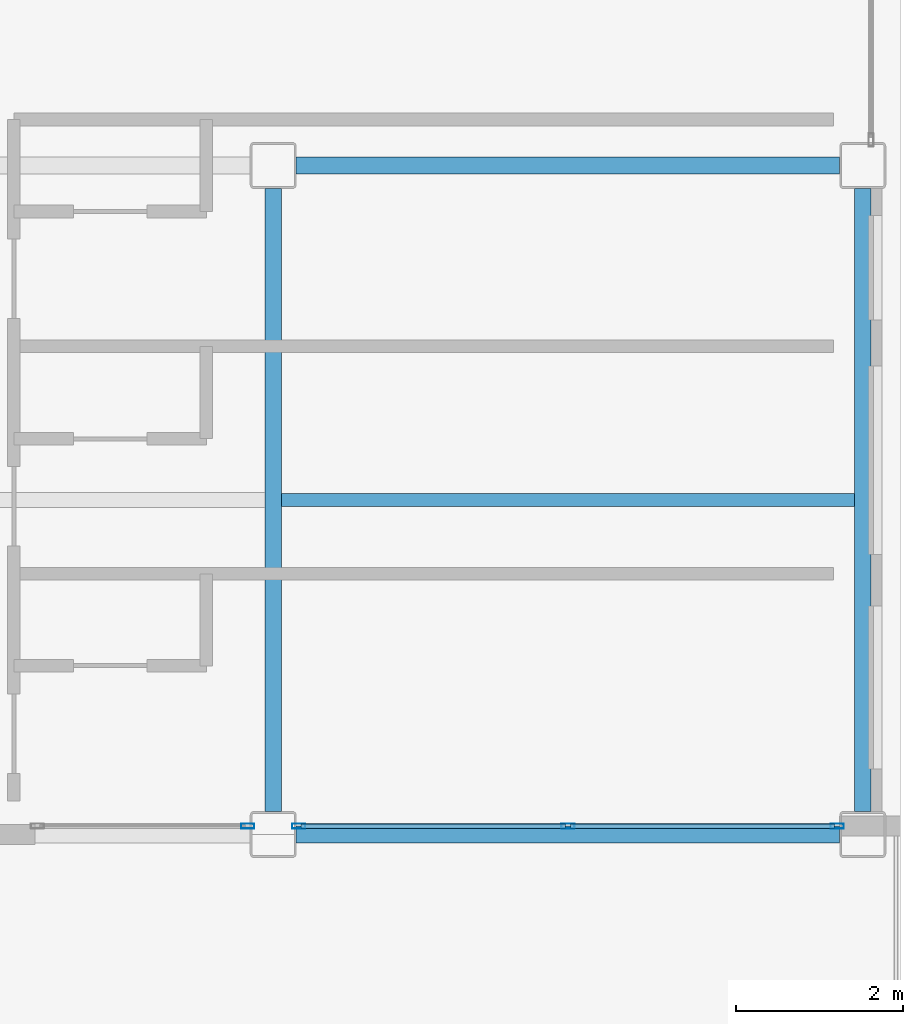
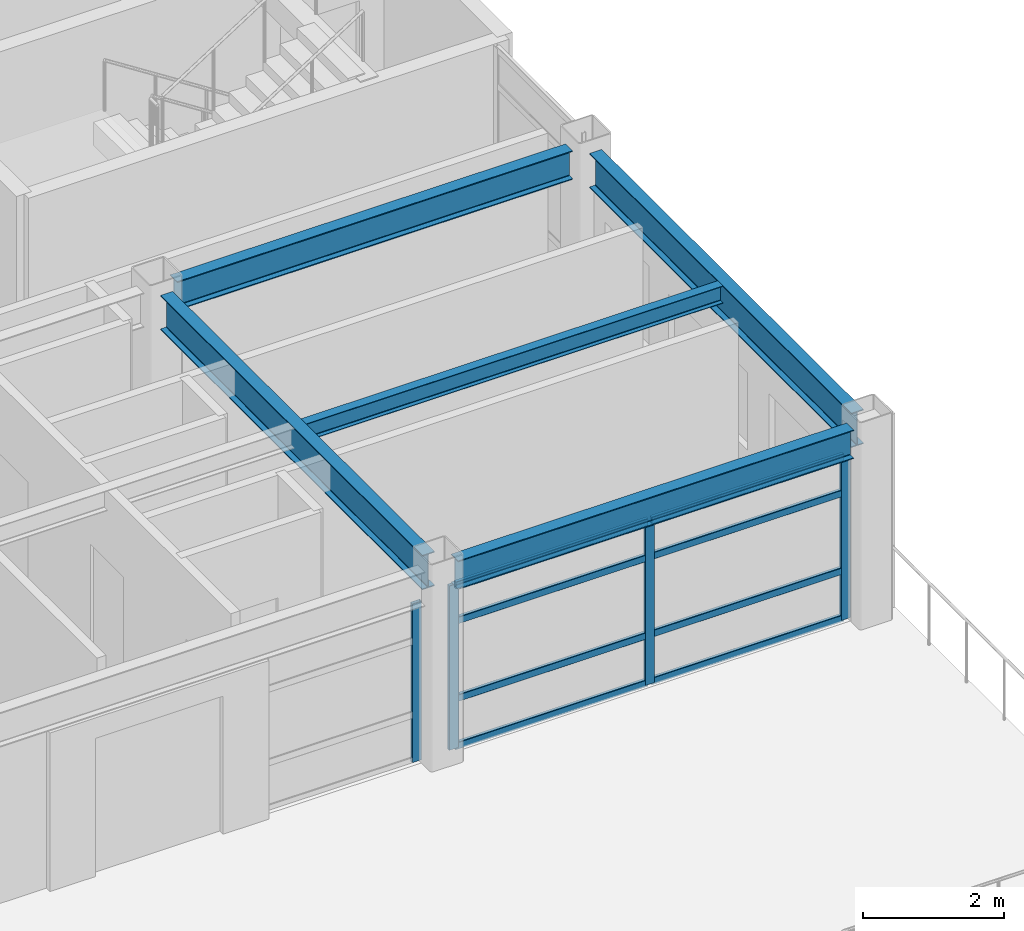
# One storey, part 6 of 36: 12 members, 5 beams, 2 elements without a shape of their own.
"""IFC4 building model written with IfcOpenShell, lengths in metres."""

import ifcopenshell
import ifcopenshell.guid

model = None  # the IFC model being written
_history = None  # IfcOwnerHistory: only IFC2X3 demands one
_inside = {}  # id of a spatial element -> (the spatial element, [elements in it])
_under = {}  # id of a project, library or spatial element -> (it, [spatial elements below it])
_declared = {}  # id of a project -> (the project, [libraries it declares])
_typed = {}  # id of a type object -> (the type object, [elements of that type])
_made_of = {}  # id of a material, layer set ... -> (it, [elements and type objects made of it])


def new_model(schema):
    """Start an empty IFC model of exactly this schema.

    Asked for "IFC4X3", IfcOpenShell would pick the latest addendum, in which some entities
    have other attributes; the version numbers below select the first issue.
    IFC2X3 requires an IfcOwnerHistory on every rooted entity: one is made here for all.
    """
    global model, _history
    if schema == "IFC4X3":
        model = ifcopenshell.file(schema_version=(4, 3, 0, 0))
    else:
        model = ifcopenshell.file(schema=schema)
    _inside.clear()
    _under.clear()
    _declared.clear()
    _typed.clear()
    _made_of.clear()
    _history = None
    if model.schema == "IFC2X3":
        org = make("IfcOrganization", Name="unknown")
        user = make(
            "IfcPersonAndOrganization",
            ThePerson=make("IfcPerson", FamilyName="unknown"),
            TheOrganization=org,
        )
        app = make(
            "IfcApplication",
            ApplicationDeveloper=org,
            Version="unknown",
            ApplicationFullName="unknown",
            ApplicationIdentifier="unknown",
        )
        _history = make(
            "IfcOwnerHistory",
            OwningUser=user,
            OwningApplication=app,
            ChangeAction="ADDED",
            CreationDate=0,
        )
    return model


def make(cls, **values):
    """One entity of the class cls with the attributes given. An attribute that is None is left unset."""
    return model.create_entity(
        cls, **{name: value for name, value in values.items() if value is not None}
    )


def rooted(cls, **values):
    """An entity with a GlobalId (a new one), such as an element, a storey or a relation."""
    return make(cls, GlobalId=ifcopenshell.guid.new(), OwnerHistory=_history, **values)


def si_unit(unit_type, name, prefix=None):
    """IfcSIUnit, for example si_unit("LENGTHUNIT", "METRE", prefix="MILLI")."""
    return make("IfcSIUnit", UnitType=unit_type, Prefix=prefix, Name=name)


def assignment(units):
    """IfcUnitAssignment: the units of a project."""
    return None if units is None else make("IfcUnitAssignment", Units=units)


def point(xyz):
    """IfcCartesianPoint."""
    return None if xyz is None else make("IfcCartesianPoint", Coordinates=xyz)


def direction(xyz):
    """IfcDirection."""
    return None if xyz is None else make("IfcDirection", DirectionRatios=xyz)


def frame(location, z_axis=None, x_axis=None):
    """IfcAxis2Placement3D, a coordinate frame: its origin and axes. An axis left out is left unset."""
    return make(
        "IfcAxis2Placement3D",
        Location=point(location),
        Axis=direction(z_axis),
        RefDirection=direction(x_axis),
    )


def frame_2d(location, x_axis=None):
    """IfcAxis2Placement2D, a coordinate frame in the plane: its origin and x axis."""
    return make(
        "IfcAxis2Placement2D", Location=point(location), RefDirection=direction(x_axis)
    )


def origin():
    """The frame at (0, 0, 0) with its axes left unset."""
    return frame((0.0, 0.0, 0.0))


def origin_2d():
    """The frame at (0, 0) in the plane with its x axis left unset."""
    return frame_2d((0.0, 0.0))


def place(relative_to, where):
    """IfcLocalPlacement: puts the frame where relative to a parent placement (None: the world)."""
    return make(
        "IfcLocalPlacement", PlacementRelTo=relative_to, RelativePlacement=where
    )


def context(
    kind, dimensions, precision=None, world=None, true_north=None, identifier=None
):
    """IfcGeometricRepresentationContext, for example the 3D "Model" context."""
    return make(
        "IfcGeometricRepresentationContext",
        ContextIdentifier=identifier,
        ContextType=kind,
        CoordinateSpaceDimension=dimensions,
        Precision=precision,
        WorldCoordinateSystem=world,
        TrueNorth=true_north,
    )


def subcontext(parent, identifier, kind, view, scale=None):
    """IfcGeometricRepresentationSubContext, for example "Body" below "Model"."""
    return make(
        "IfcGeometricRepresentationSubContext",
        ContextIdentifier=identifier,
        ContextType=kind,
        ParentContext=parent,
        TargetScale=scale,
        TargetView=view,
    )


def project(units=None, contexts=None):
    """IfcProject with its units and contexts."""
    return rooted(
        "IfcProject",
        Name="project",
        RepresentationContexts=contexts,
        UnitsInContext=assignment(units),
    )


def spatial(cls, under=None, at=None, **own):
    """A site, building, storey or space (cls), placed at a placement, below another one or the project."""
    s = rooted(cls, ObjectPlacement=at, **own)
    if under is not None:
        _under.setdefault(under.id(), (under, []))[1].append(s)
    return s


def profile(cls, at=None, kind="AREA", **sizes):
    """A parametric profile (cls). Its sizes go by their IFC names, for example OverallWidth=200.0."""
    return make(cls, ProfileType=kind, Position=at, **sizes)


def hollow_rectangle(**sizes):
    """IfcRectangleHollowProfileDef."""
    return profile("IfcRectangleHollowProfileDef", **sizes)


def i_section(**sizes):
    """IfcIShapeProfileDef."""
    return profile("IfcIShapeProfileDef", **sizes)


def extrude(swept, where, along, depth):
    """IfcExtrudedAreaSolid: the profile swept, set in the frame where, extruded along a direction by depth."""
    return make(
        "IfcExtrudedAreaSolid",
        SweptArea=swept,
        Position=where,
        ExtrudedDirection=direction(along),
        Depth=depth,
    )


def shape(context_of_items, identifier, shape_type, items):
    """IfcShapeRepresentation: the items that make up one representation, for example the "Body"."""
    return make(
        "IfcShapeRepresentation",
        ContextOfItems=context_of_items,
        RepresentationIdentifier=identifier,
        RepresentationType=shape_type,
        Items=items,
    )


def material(Name=None, Category=None):
    """IfcMaterial."""
    return make("IfcMaterial", Name=Name, Category=Category)


def layer(
    of_material, thickness, ventilated=None, Name=None, Category=None, Priority=None
):
    """IfcMaterialLayer: one layer of a wall or slab, of a material (None: an air gap)."""
    return make(
        "IfcMaterialLayer",
        Material=of_material,
        LayerThickness=thickness,
        IsVentilated=ventilated,
        Name=Name,
        Category=Category,
        Priority=Priority,
    )


def layer_set(layers, Name=None):
    """IfcMaterialLayerSet."""
    return make("IfcMaterialLayerSet", MaterialLayers=layers, LayerSetName=Name)


def material_profile(
    of_material, cross_section, Name=None, Category=None, Priority=None
):
    """IfcMaterialProfile: a cross section and its material."""
    return make(
        "IfcMaterialProfile",
        Name=Name,
        Material=of_material,
        Profile=cross_section,
        Priority=Priority,
        Category=Category,
    )


def profile_set(profiles, Name=None, composite=None):
    """IfcMaterialProfileSet."""
    return make(
        "IfcMaterialProfileSet",
        Name=Name,
        MaterialProfiles=profiles,
        CompositeProfile=composite,
    )


def made_of(thing, what):
    """Note that an element or type object is made of a material, layer set ...; save() writes the relation."""
    if what is not None:
        _made_of.setdefault(what.id(), (what, []))[1].append(thing)
    return thing


def type_object(cls, material=None, **own):
    """A type object (cls), such as IfcWallType, which elements share."""
    return made_of(rooted(cls, **own), material)


def element(
    cls,
    number,
    at=None,
    inside=None,
    cuts=None,
    type_object=None,
    material=None,
    context=None,
    identifier="Body",
    shape_type=None,
    held_by="IfcProductDefinitionShape",
    body=None,
    shapes=None,
    **own,
):
    """One element of the class cls, such as IfcWall. Its Tag is "e" and its number.

    at: its placement. inside: the storey or other place that contains it. cuts: it is an
    opening in that element (IfcRelVoidsElement). A single representation is given by context,
    identifier, shape_type and body (its items); several are given by shapes. held_by: the class
    of the entity that holds the representations. save() writes the other relations.
    """
    e = rooted(cls, Tag="e%d" % number, ObjectPlacement=at, **own)
    if body is not None:
        shapes = [shape(context, identifier, shape_type, body)]
    if shapes is not None:
        e.Representation = make(held_by, Representations=shapes)
    if inside is not None:
        _inside.setdefault(inside.id(), (inside, []))[1].append(e)
    if cuts is not None:
        rooted(
            "IfcRelVoidsElement", RelatingBuildingElement=cuts, RelatedOpeningElement=e
        )
    if type_object is not None:
        _typed.setdefault(type_object.id(), (type_object, []))[1].append(e)
    return made_of(e, material)


def aggregate(whole, parts):
    """IfcRelAggregates: a whole, such as a stair, and the parts it consists of."""
    return rooted("IfcRelAggregates", RelatingObject=whole, RelatedObjects=parts)


def save(model, path):
    """Write the relations noted so far, then the file.

    IfcRelAggregates (storeys below a building ...), IfcRelContainedInSpatialStructure (elements
    in a storey), IfcRelDefinesByType, IfcRelAssociatesMaterial and IfcRelDeclares: one each for
    every whole, place, type object, material and project.
    """
    for whole, parts in _under.values():
        aggregate(whole, parts)
    for where, things in _inside.values():
        rooted(
            "IfcRelContainedInSpatialStructure",
            RelatedElements=things,
            RelatingStructure=where,
        )
    for kind, things in _typed.values():
        rooted("IfcRelDefinesByType", RelatedObjects=things, RelatingType=kind)
    for what, things in _made_of.values():
        rooted("IfcRelAssociatesMaterial", RelatedObjects=things, RelatingMaterial=what)
    for by, libraries in _declared.values():
        rooted("IfcRelDeclares", RelatingContext=by, RelatedDefinitions=libraries)
    model.write(path)


model = new_model("IFC4")

# Units and contexts
model_context = context("Model", 3, precision=1e-05, world=origin(), true_north=direction((0.0, 1.0)))
body_context = subcontext(model_context, "Body", "Model", "MODEL_VIEW")
ifc_project = project(units=[si_unit("LENGTHUNIT", "METRE"), si_unit("AREAUNIT", "SQUARE_METRE"), si_unit("VOLUMEUNIT", "CUBIC_METRE"), si_unit("PLANEANGLEUNIT", "RADIAN"), si_unit("MASSUNIT", "GRAM", prefix="KILO")], contexts=[model_context])

# Site, building, storey
site_placement = place(None, origin())
site = spatial("IfcSite", under=ifc_project, at=site_placement, CompositionType="ELEMENT")
building_placement = place(site_placement, origin())
building = spatial("IfcBuilding", under=site, at=building_placement, Name="Kazehara Bluff Congress Hotel", CompositionType="ELEMENT")
storey_placement = place(building_placement, frame((0.0, 0.0, 31.800048828125)))
storey = spatial("IfcBuildingStorey", under=building, at=storey_placement, Name="L07", CompositionType="ELEMENT", Elevation=31.800048828125)

# Curtain wall, member
ifc_material_1 = material(Name="Anodised aluminium", Category="aluminium")
ifc_layer_1 = layer(ifc_material_1, 0.159912109375)
ifc_layer_set_1 = layer_set([ifc_layer_1], Name="Anodised aluminium")
curtain_wall_type_1 = type_object("IfcCurtainWallType", Name="TP-CW-183", PredefinedType="NOTDEFINED", material=ifc_layer_set_1)
curtain_wall_1_placement = place(storey_placement, origin())
curtain_wall_1 = element("IfcCurtainWall", 1, at=curtain_wall_1_placement, inside=storey, type_object=curtain_wall_type_1, Name="L07 curtain wall CW-183 CW-ENC-V5-L07-15894-810", PredefinedType="NOTDEFINED")
ifc_material_2 = material(Name="Anodised aluminium", Category="aluminium")
ifc_material_profile_1 = material_profile(ifc_material_2, hollow_rectangle(XDim=0.06005859375, YDim=0.159912109375, WallThickness=0.00390625, InnerFilletRadius=0.00390625, OuterFilletRadius=0.008056640625, at=origin_2d()))
ifc_profile_set_1 = profile_set([ifc_material_profile_1], Name="Anodised aluminium")
member_type_1 = type_object("IfcMemberType", Name="TP-CWM-01", PredefinedType="MULLION", material=ifc_profile_set_1)
member_1_placement = place(storey_placement, frame((160.195068359375, 8.10009765625, 0.0), z_axis=(0.0, 0.0, 1.0), x_axis=(0.0, -1.0, 0.0)))
member_1 = element("IfcMember", 2, at=member_1_placement, type_object=member_type_1, Name="CW-183 mullion 1", PredefinedType="MULLION", context=body_context, shape_type="SweptSolid", body=[
    extrude(hollow_rectangle(XDim=0.06005859375, YDim=0.159912109375, WallThickness=0.00390625, InnerFilletRadius=0.00390625, OuterFilletRadius=0.008056640625, at=origin_2d()), origin(), (0.0, 0.0, 1.0), 2.7548828125),
])
aggregate(curtain_wall_1, [member_1])

# Curtain wall, members
ifc_material_3 = material(Name="Anodised aluminium", Category="aluminium")
ifc_layer_2 = layer(ifc_material_3, 0.159912109375)
ifc_layer_set_2 = layer_set([ifc_layer_2], Name="Anodised aluminium")
curtain_wall_type_2 = type_object("IfcCurtainWallType", Name="TP-CW-173", PredefinedType="NOTDEFINED", material=ifc_layer_set_2)
curtain_wall_2_placement = place(storey_placement, origin())
curtain_wall_2 = element("IfcCurtainWall", 3, at=curtain_wall_2_placement, inside=storey, type_object=curtain_wall_type_2, Name="L07 curtain wall CW-173 CW-ENC-V5-L07-16402-810", PredefinedType="NOTDEFINED")
member_2_placement = place(storey_placement, frame((167.2451171875, 8.10009765625, 0.0), z_axis=(0.0, 0.0, 1.0), x_axis=(0.0, -1.0, 0.0)))
member_2 = element("IfcMember", 4, at=member_2_placement, type_object=member_type_1, Name="CW-173 mullion 1", PredefinedType="MULLION", context=body_context, shape_type="SweptSolid", body=[
    extrude(hollow_rectangle(XDim=0.06005859375, YDim=0.159912109375, WallThickness=0.00390625, InnerFilletRadius=0.00390625, OuterFilletRadius=0.008056640625, at=origin_2d()), origin(), (0.0, 0.0, 1.0), 2.85498046875),
])
member_3_placement = place(storey_placement, frame((164.02490234375, 8.10009765625, 0.0), z_axis=(0.0, 0.0, 1.0), x_axis=(0.0, -1.0, 0.0)))
member_3 = element("IfcMember", 5, at=member_3_placement, type_object=member_type_1, Name="CW-173 mullion 2", PredefinedType="MULLION", context=body_context, shape_type="SweptSolid", body=[
    extrude(hollow_rectangle(XDim=0.06005859375, YDim=0.159912109375, WallThickness=0.00390625, InnerFilletRadius=0.00390625, OuterFilletRadius=0.008056640625, at=origin_2d()), origin(), (0.0, 0.0, 1.0), 2.85498046875),
])
member_4_placement = place(storey_placement, frame((160.804931640625, 8.10009765625, 0.0), z_axis=(0.0, 0.0, 1.0), x_axis=(0.0, -1.0, 0.0)))
member_4 = element("IfcMember", 6, at=member_4_placement, type_object=member_type_1, Name="CW-173 mullion 3", PredefinedType="MULLION", context=body_context, shape_type="SweptSolid", body=[
    extrude(hollow_rectangle(XDim=0.06005859375, YDim=0.159912109375, WallThickness=0.00390625, InnerFilletRadius=0.00390625, OuterFilletRadius=0.008056640625, at=origin_2d()), origin(), (0.0, 0.0, 1.0), 2.85498046875),
])
ifc_material_4 = material(Name="Anodised aluminium", Category="aluminium")
ifc_material_profile_2 = material_profile(ifc_material_4, hollow_rectangle(XDim=0.06005859375, YDim=0.1201171875, WallThickness=0.00390625, InnerFilletRadius=0.00390625, OuterFilletRadius=0.008056640625, at=origin_2d()))
ifc_profile_set_2 = profile_set([ifc_material_profile_2], Name="Anodised aluminium")
member_type_2 = type_object("IfcMemberType", Name="TP-CWT-01", PredefinedType="USERDEFINED", material=ifc_profile_set_2)
member_5_placement = place(storey_placement, frame((167.215087890625, 8.10009765625, 0.030029296875), z_axis=(-1.0, 0.0, 0.0), x_axis=(0.0, -1.0, 0.0)))
member_5 = element("IfcMember", 7, at=member_5_placement, type_object=member_type_2, Name="CW-173 transom 1.1", ObjectType="TRANSOM", PredefinedType="USERDEFINED", context=body_context, shape_type="SweptSolid", body=[
    extrude(hollow_rectangle(XDim=0.06005859375, YDim=0.1201171875, WallThickness=0.00390625, InnerFilletRadius=0.00390625, OuterFilletRadius=0.008056640625, at=origin_2d()), origin(), (0.0, 0.0, 1.0), 3.16015625),
])
member_6_placement = place(storey_placement, frame((167.215087890625, 8.10009765625, 0.85498046875), z_axis=(-1.0, 0.0, 0.0), x_axis=(0.0, -1.0, 0.0)))
member_6 = element("IfcMember", 8, at=member_6_placement, type_object=member_type_2, Name="CW-173 transom 1.2", ObjectType="TRANSOM", PredefinedType="USERDEFINED", context=body_context, shape_type="SweptSolid", body=[
    extrude(hollow_rectangle(XDim=0.06005859375, YDim=0.1201171875, WallThickness=0.00390625, InnerFilletRadius=0.00390625, OuterFilletRadius=0.008056640625, at=origin_2d()), origin(), (0.0, 0.0, 1.0), 3.16015625),
])
member_7_placement = place(storey_placement, frame((167.215087890625, 8.10009765625, 2.204833984375), z_axis=(-1.0, 0.0, 0.0), x_axis=(0.0, -1.0, 0.0)))
member_7 = element("IfcMember", 9, at=member_7_placement, type_object=member_type_2, Name="CW-173 transom 1.3", ObjectType="TRANSOM", PredefinedType="USERDEFINED", context=body_context, shape_type="SweptSolid", body=[
    extrude(hollow_rectangle(XDim=0.06005859375, YDim=0.1201171875, WallThickness=0.00390625, InnerFilletRadius=0.00390625, OuterFilletRadius=0.008056640625, at=origin_2d()), origin(), (0.0, 0.0, 1.0), 3.16015625),
])
member_8_placement = place(storey_placement, frame((167.215087890625, 8.10009765625, 2.824951171875), z_axis=(-1.0, 0.0, 0.0), x_axis=(0.0, -1.0, 0.0)))
member_8 = element("IfcMember", 10, at=member_8_placement, type_object=member_type_2, Name="CW-173 transom 1.4", ObjectType="TRANSOM", PredefinedType="USERDEFINED", context=body_context, shape_type="SweptSolid", body=[
    extrude(hollow_rectangle(XDim=0.06005859375, YDim=0.1201171875, WallThickness=0.00390625, InnerFilletRadius=0.00390625, OuterFilletRadius=0.008056640625, at=origin_2d()), origin(), (0.0, 0.0, 1.0), 3.16015625),
])
member_9_placement = place(storey_placement, frame((163.9951171875, 8.10009765625, 0.030029296875), z_axis=(-1.0, 0.0, 0.0), x_axis=(0.0, -1.0, 0.0)))
member_9 = element("IfcMember", 11, at=member_9_placement, type_object=member_type_2, Name="CW-173 transom 2.1", ObjectType="TRANSOM", PredefinedType="USERDEFINED", context=body_context, shape_type="SweptSolid", body=[
    extrude(hollow_rectangle(XDim=0.06005859375, YDim=0.1201171875, WallThickness=0.00390625, InnerFilletRadius=0.00390625, OuterFilletRadius=0.008056640625, at=origin_2d()), origin(), (0.0, 0.0, 1.0), 3.16015625),
])
member_10_placement = place(storey_placement, frame((163.9951171875, 8.10009765625, 0.85498046875), z_axis=(-1.0, 0.0, 0.0), x_axis=(0.0, -1.0, 0.0)))
member_10 = element("IfcMember", 12, at=member_10_placement, type_object=member_type_2, Name="CW-173 transom 2.2", ObjectType="TRANSOM", PredefinedType="USERDEFINED", context=body_context, shape_type="SweptSolid", body=[
    extrude(hollow_rectangle(XDim=0.06005859375, YDim=0.1201171875, WallThickness=0.00390625, InnerFilletRadius=0.00390625, OuterFilletRadius=0.008056640625, at=origin_2d()), origin(), (0.0, 0.0, 1.0), 3.16015625),
])
member_11_placement = place(storey_placement, frame((163.9951171875, 8.10009765625, 2.204833984375), z_axis=(-1.0, 0.0, 0.0), x_axis=(0.0, -1.0, 0.0)))
member_11 = element("IfcMember", 13, at=member_11_placement, type_object=member_type_2, Name="CW-173 transom 2.3", ObjectType="TRANSOM", PredefinedType="USERDEFINED", context=body_context, shape_type="SweptSolid", body=[
    extrude(hollow_rectangle(XDim=0.06005859375, YDim=0.1201171875, WallThickness=0.00390625, InnerFilletRadius=0.00390625, OuterFilletRadius=0.008056640625, at=origin_2d()), origin(), (0.0, 0.0, 1.0), 3.16015625),
])
member_12_placement = place(storey_placement, frame((163.9951171875, 8.10009765625, 2.824951171875), z_axis=(-1.0, 0.0, 0.0), x_axis=(0.0, -1.0, 0.0)))
member_12 = element("IfcMember", 14, at=member_12_placement, type_object=member_type_2, Name="CW-173 transom 2.4", ObjectType="TRANSOM", PredefinedType="USERDEFINED", context=body_context, shape_type="SweptSolid", body=[
    extrude(hollow_rectangle(XDim=0.06005859375, YDim=0.1201171875, WallThickness=0.00390625, InnerFilletRadius=0.00390625, OuterFilletRadius=0.008056640625, at=origin_2d()), origin(), (0.0, 0.0, 1.0), 3.16015625),
])
aggregate(curtain_wall_2, [member_2, member_3, member_4, member_5, member_6, member_7, member_8, member_9, member_10, member_11, member_12])

# Beams
ifc_material_5 = material(Name="Steel SN490B", Category="steel")
ifc_material_profile_3 = material_profile(ifc_material_5, i_section(OverallWidth=0.199951171875, OverallDepth=0.5, WebThickness=0.010009765625, FlangeThickness=0.01611328125, FilletRadius=0.012939453125, at=origin_2d()))
ifc_profile_set_3 = profile_set([ifc_material_profile_3], Name="Steel SN490B")
beam_type_1 = type_object("IfcBeamType", Name="TP-G-01", PredefinedType="BEAM", material=ifc_profile_set_3)
for number, where, z_axis, x_axis, name in (
    (15, (160.77490234375, 8.0, 3.1298828125), (1.0, 0.0, 0.0), (0.0, 1.0, 0.0), "L07 girder G-01 38"),
    (16, (160.77490234375, 16.0, 3.1298828125), (1.0, 0.0, 0.0), (0.0, 1.0, 0.0), "L07 girder G-01 41"),
):
    element("IfcBeam", number, at=place(storey_placement, frame(where, z_axis=z_axis, x_axis=x_axis)), inside=storey, type_object=beam_type_1, Name=name, PredefinedType="BEAM", context=body_context, shape_type="SweptSolid", body=[
        extrude(i_section(OverallWidth=0.199951171875, OverallDepth=0.5, WebThickness=0.010009765625, FlangeThickness=0.01611328125, FilletRadius=0.012939453125, at=origin_2d()), origin(), (0.0, 0.0, 1.0), 6.5),
    ])
ifc_material_6 = material(Name="Steel SN490B", Category="steel")
ifc_material_profile_4 = material_profile(ifc_material_6, i_section(OverallWidth=0.199951171875, OverallDepth=0.60009765625, WebThickness=0.010986328125, FlangeThickness=0.01708984375, FilletRadius=0.012939453125, at=origin_2d()))
ifc_profile_set_4 = profile_set([ifc_material_profile_4], Name="Steel SN490B")
beam_type_2 = type_object("IfcBeamType", Name="TP-G-02", PredefinedType="BEAM", material=ifc_profile_set_4)
for number, where, z_axis, x_axis, name in (
    (17, (160.5, 8.27490234375, 3.079833984375), (0.0, 1.0, 0.0), (-1.0, 0.0, 0.0), "L07 girder G-02 20"),
    (18, (167.550048828125, 8.27490234375, 3.079833984375), (0.0, 1.0, 0.0), (-1.0, 0.0, 0.0), "L07 girder G-02 28"),
):
    element("IfcBeam", number, at=place(storey_placement, frame(where, z_axis=z_axis, x_axis=x_axis)), inside=storey, type_object=beam_type_2, Name=name, PredefinedType="BEAM", context=body_context, shape_type="SweptSolid", body=[
        extrude(i_section(OverallWidth=0.199951171875, OverallDepth=0.60009765625, WebThickness=0.010986328125, FlangeThickness=0.01708984375, FilletRadius=0.012939453125, at=origin_2d()), origin(), (0.0, 0.0, 1.0), 7.4501953125),
    ])
ifc_material_7 = material(Name="Steel SN400B", Category="steel")
ifc_material_profile_5 = material_profile(ifc_material_7, i_section(OverallWidth=0.14990234375, OverallDepth=0.300048828125, WebThickness=0.006591796875, FlangeThickness=0.009033203125, FilletRadius=0.012939453125, at=origin_2d()))
ifc_profile_set_5 = profile_set([ifc_material_profile_5], Name="Steel SN400B")
beam_type_3 = type_object("IfcBeamType", Name="TP-J-01", PredefinedType="JOIST", material=ifc_profile_set_5)
beam_placement = place(storey_placement, frame((160.60009765625, 12.0, 3.22998046875), z_axis=(1.0, 0.0, 0.0), x_axis=(0.0, 1.0, 0.0)))
element("IfcBeam", 19, at=beam_placement, inside=storey, type_object=beam_type_3, Name="L07 secondary joist J-01 13", PredefinedType="JOIST", context=body_context, shape_type="SweptSolid", body=[
    extrude(i_section(OverallWidth=0.14990234375, OverallDepth=0.300048828125, WebThickness=0.006591796875, FlangeThickness=0.009033203125, FilletRadius=0.012939453125, at=origin_2d()), origin(), (0.0, 0.0, 1.0), 6.849853515625),
])

save(model, "model.ifc")
